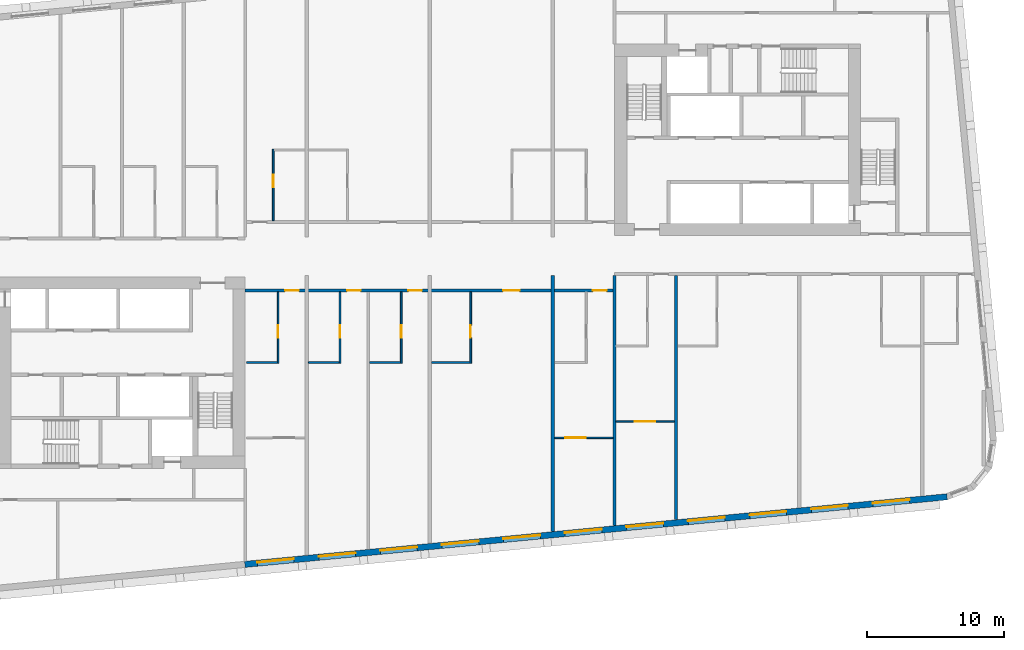
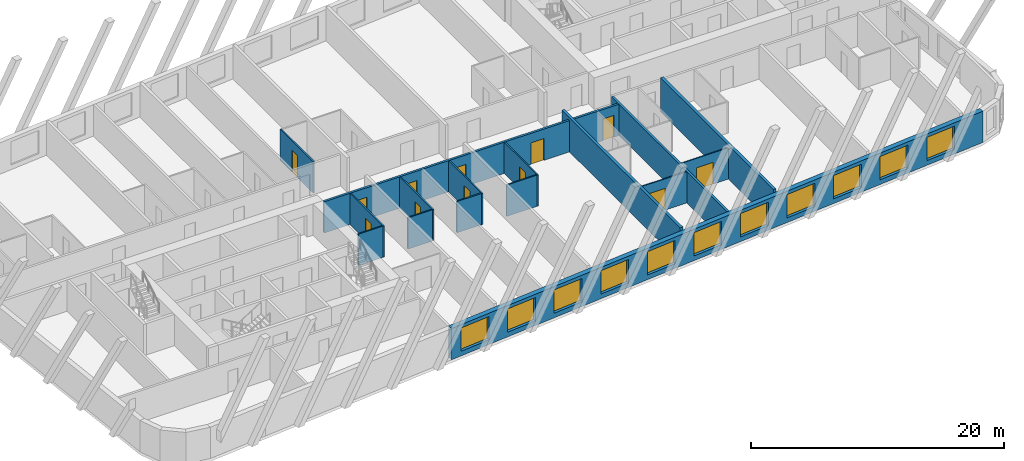
# One storey, part 4 of 13: 16 walls, 12 doors, 11 windows, 23 openings.
"""IFC4 building model written with IfcOpenShell, lengths in metres."""

from ifc_helpers import new_model, si_unit, direction, frame, frame_2d, origin, place, context, subcontext, project, spatial, rectangle, extrude, material, layer, layer_set, type_object, element, fill, save


model = new_model("IFC4")

# Units and contexts
model_context = context("Model", 3, precision=1e-05, world=origin(), true_north=direction((0.0, 1.0)))
body_context = subcontext(model_context, "Body", "Model", "MODEL_VIEW")
ifc_project = project(units=[si_unit("LENGTHUNIT", "METRE"), si_unit("AREAUNIT", "SQUARE_METRE"), si_unit("VOLUMEUNIT", "CUBIC_METRE"), si_unit("PLANEANGLEUNIT", "RADIAN"), si_unit("MASSUNIT", "GRAM", prefix="KILO")], contexts=[model_context])

# Site, building, storey
site_placement = place(None, origin())
site = spatial("IfcSite", under=ifc_project, at=site_placement, CompositionType="ELEMENT")
building_placement = place(site_placement, origin())
building = spatial("IfcBuilding", under=site, at=building_placement, Name="Kajstack Hotel Tower", CompositionType="ELEMENT")
storey_placement = place(building_placement, frame((0.0, 0.0, 176.800048828125)))
storey = spatial("IfcBuildingStorey", under=building, at=storey_placement, Name="L41", CompositionType="ELEMENT", Elevation=176.800048828125)

# Wall, openings, doors
ifc_material_1 = material(Name="Gypsum board on steel studs, mineral wool", Category="steel")
ifc_layer_1 = layer(ifc_material_1, 0.199951171875)
ifc_layer_set_1 = layer_set([ifc_layer_1], Name="Corridor wall 200")
wall_type_1 = type_object("IfcWallType", Name="Corridor wall 200", PredefinedType="PARTITIONING", material=ifc_layer_set_1)
wall_1_placement = place(storey_placement, frame((-13.5, -2.5, 0.0), z_axis=(0.0, 0.0, 1.0), x_axis=(1.0, 0.0, 0.0)))
wall_1 = element("IfcWall", 1, at=wall_1_placement, inside=storey, type_object=wall_type_1, Name="G-wall-L41-025", PredefinedType="PARTITIONING", context=body_context, shape_type="SweptSolid", body=[
    extrude(rectangle(XDim=27.0, YDim=0.199951171875, at=frame_2d((13.5, 0.0))), origin(), (0.0, 0.0, 1.0), 3.02001953125),
])
opening_1_placement = place(wall_1_placement, frame((2.925048828125, 0.0, 0.0)))
opening_1 = element("IfcOpeningElement", 2, at=opening_1_placement, cuts=wall_1, Name="Opening 41019", PredefinedType="OPENING", context=body_context, shape_type="SweptSolid", body=[
    extrude(rectangle(XDim=1.0, YDim=2.10009765625, at=frame_2d((0.5, 1.050048828125))), frame((0.0, 0.10986328125, 0.0), z_axis=(0.0, -1.0, 0.0), x_axis=(1.0, 0.0, 0.0)), (0.0, 0.0, 1.0), 0.219970703125),
])
opening_2_placement = place(wall_1_placement, frame((7.449951171875, 0.0, 0.0)))
opening_2 = element("IfcOpeningElement", 3, at=opening_2_placement, cuts=wall_1, Name="Opening 41022", PredefinedType="OPENING", context=body_context, shape_type="SweptSolid", body=[
    extrude(rectangle(XDim=1.0, YDim=2.10009765625, at=frame_2d((0.5, 1.050048828125))), frame((0.0, 0.10986328125, 0.0), z_axis=(0.0, -1.0, 0.0), x_axis=(1.0, 0.0, 0.0)), (0.0, 0.0, 1.0), 0.219970703125),
])
opening_3_placement = place(wall_1_placement, frame((11.925048828125, 0.0, 0.0)))
opening_3 = element("IfcOpeningElement", 4, at=opening_3_placement, cuts=wall_1, Name="Opening 41024", PredefinedType="OPENING", context=body_context, shape_type="SweptSolid", body=[
    extrude(rectangle(XDim=1.0, YDim=2.10009765625, at=frame_2d((0.5, 1.050048828125))), frame((0.0, 0.10986328125, 0.0), z_axis=(0.0, -1.0, 0.0), x_axis=(1.0, 0.0, 0.0)), (0.0, 0.0, 1.0), 0.219970703125),
])
opening_4_placement = place(wall_1_placement, frame((18.862060546875, 0.0, 0.0)))
opening_4 = element("IfcOpeningElement", 5, at=opening_4_placement, cuts=wall_1, Name="Opening 41026", PredefinedType="OPENING", context=body_context, shape_type="SweptSolid", body=[
    extrude(rectangle(XDim=1.199951171875, YDim=2.10009765625, at=frame_2d((0.60009765625, 1.050048828125))), frame((0.0, 0.10986328125, 0.0), z_axis=(0.0, -1.0, 0.0), x_axis=(1.0, 0.0, 0.0)), (0.0, 0.0, 1.0), 0.219970703125),
])
opening_5_placement = place(wall_1_placement, frame((25.425048828125, 0.0, 0.0)))
opening_5 = element("IfcOpeningElement", 6, at=opening_5_placement, cuts=wall_1, Name="Opening 41028", PredefinedType="OPENING", context=body_context, shape_type="SweptSolid", body=[
    extrude(rectangle(XDim=1.0, YDim=2.10009765625, at=frame_2d((0.5, 1.050048828125))), frame((0.0, 0.10986328125, 0.0), z_axis=(0.0, -1.0, 0.0), x_axis=(1.0, 0.0, 0.0)), (0.0, 0.0, 1.0), 0.219970703125),
])
ifc_material_2 = material(Name="Oak veneer on timber core, fire-rated leaf", Category="wood")
door_type_1 = type_object("IfcDoorType", Name="Flat entrance door 1000", OperationType="SINGLE_SWING_LEFT", PredefinedType="DOOR", material=ifc_material_2)
door_1_placement = place(opening_1_placement, origin())
door_1 = element("IfcDoor", 7, at=door_1_placement, inside=storey, type_object=door_type_1, Name="G-door-L41-19", OperationType="SINGLE_SWING_LEFT", OverallHeight=2.10009765625, OverallWidth=1.0, PredefinedType="DOOR", context=body_context, shape_type="SweptSolid", body=[
    extrude(rectangle(XDim=1.0, YDim=2.10009765625, at=frame_2d((0.5, 1.050048828125))), frame((0.0, 0.02490234375, 0.0), z_axis=(0.0, -1.0, 0.0), x_axis=(1.0, 0.0, 0.0)), (0.0, 0.0, 1.0), 0.050048828125),
])
fill(opening_1, door_1)
door_2_placement = place(opening_2_placement, origin())
door_2 = element("IfcDoor", 8, at=door_2_placement, inside=storey, type_object=door_type_1, Name="G-door-L41-22", OperationType="SINGLE_SWING_RIGHT", OverallHeight=2.10009765625, OverallWidth=1.0, PredefinedType="DOOR", context=body_context, shape_type="SweptSolid", body=[
    extrude(rectangle(XDim=1.0, YDim=2.10009765625, at=frame_2d((0.5, 1.050048828125))), frame((0.0, 0.02490234375, 0.0), z_axis=(0.0, -1.0, 0.0), x_axis=(1.0, 0.0, 0.0)), (0.0, 0.0, 1.0), 0.050048828125),
])
fill(opening_2, door_2)
door_3_placement = place(opening_3_placement, origin())
door_3 = element("IfcDoor", 9, at=door_3_placement, inside=storey, type_object=door_type_1, Name="G-door-L41-24", OperationType="SINGLE_SWING_RIGHT", OverallHeight=2.10009765625, OverallWidth=1.0, PredefinedType="DOOR", context=body_context, shape_type="SweptSolid", body=[
    extrude(rectangle(XDim=1.0, YDim=2.10009765625, at=frame_2d((0.5, 1.050048828125))), frame((0.0, 0.02490234375, 0.0), z_axis=(0.0, -1.0, 0.0), x_axis=(1.0, 0.0, 0.0)), (0.0, 0.0, 1.0), 0.050048828125),
])
fill(opening_3, door_3)
door_4_placement = place(opening_5_placement, origin())
door_4 = element("IfcDoor", 10, at=door_4_placement, inside=storey, type_object=door_type_1, Name="G-door-L41-28", OperationType="SINGLE_SWING_LEFT", OverallHeight=2.10009765625, OverallWidth=1.0, PredefinedType="DOOR", context=body_context, shape_type="SweptSolid", body=[
    extrude(rectangle(XDim=1.0, YDim=2.10009765625, at=frame_2d((0.5, 1.050048828125))), frame((0.0, 0.02490234375, 0.0), z_axis=(0.0, -1.0, 0.0), x_axis=(1.0, 0.0, 0.0)), (0.0, 0.0, 1.0), 0.050048828125),
])
fill(opening_5, door_4)
door_type_2 = type_object("IfcDoorType", Name="Flat entrance door 1200", OperationType="SINGLE_SWING_LEFT", PredefinedType="DOOR", material=ifc_material_2)
door_5_placement = place(opening_4_placement, origin())
door_5 = element("IfcDoor", 11, at=door_5_placement, inside=storey, type_object=door_type_2, Name="G-door-L41-26", OperationType="SINGLE_SWING_LEFT", OverallHeight=2.10009765625, OverallWidth=1.199951171875, PredefinedType="DOOR", context=body_context, shape_type="SweptSolid", body=[
    extrude(rectangle(XDim=1.199951171875, YDim=2.10009765625, at=frame_2d((0.60009765625, 1.050048828125))), frame((0.0, 0.02490234375, 0.0), z_axis=(0.0, -1.0, 0.0), x_axis=(1.0, 0.0, 0.0)), (0.0, 0.0, 1.0), 0.050048828125),
])
fill(opening_4, door_5)

# Wall
ifc_material_3 = material(Name="Twin-frame gypsum board on steel studs, mineral wool", Category="steel")
ifc_layer_2 = layer(ifc_material_3, 0.199951171875)
ifc_layer_set_2 = layer_set([ifc_layer_2], Name="Demising wall 200")
wall_type_2 = type_object("IfcWallType", Name="Demising wall 200", PredefinedType="PARTITIONING", material=ifc_layer_set_2)
wall_2_placement = place(storey_placement, frame((13.5, -19.700927734375, 0.0), z_axis=(0.0, 0.0, 1.0), x_axis=(0.0, 1.0, 0.0)))
element("IfcWall", 12, at=wall_2_placement, inside=storey, type_object=wall_type_2, Name="G-wall-L41-037", PredefinedType="PARTITIONING", context=body_context, shape_type="SweptSolid", body=[
    extrude(rectangle(XDim=18.301025390625, YDim=0.199951171875, at=frame_2d((9.150390625, 0.0))), origin(), (0.0, 0.0, 1.0), 3.02001953125),
])

# Wall, openings, windows
ifc_material_4 = material(Name="Terracotta-faced brick masonry", Category="masonry")
ifc_layer_3 = layer(ifc_material_4, 0.449951171875)
ifc_layer_set_3 = layer_set([ifc_layer_3], Name="EW-TERRA")
wall_type_3 = type_object("IfcWallType", Name="EW-TERRA", PredefinedType="SOLIDWALL", material=ifc_layer_set_3)
wall_3_placement = place(storey_placement, frame((-13.521484375, -22.528564453125, 0.0), z_axis=(0.0, 0.0, 1.0), x_axis=(0.995396436651, 0.095843277819, 0.0)))
wall_3 = element("IfcWall", 13, at=wall_3_placement, inside=storey, type_object=wall_type_3, Name="E-wall-L41-04-02", PredefinedType="SOLIDWALL", context=body_context, shape_type="SweptSolid", body=[
    extrude(rectangle(XDim=51.57763671875, YDim=0.449951171875, at=frame_2d((25.788818359375, 0.0))), origin(), (0.0, 0.0, 1.0), 3.02001953125),
])
opening_6_placement = place(wall_3_placement, frame((0.910400390625, 0.0, 0.449951171875)))
opening_6 = element("IfcOpeningElement", 14, at=opening_6_placement, cuts=wall_3, Name="Opening W1", PredefinedType="OPENING", context=body_context, shape_type="SweptSolid", body=[
    extrude(rectangle(XDim=2.699951171875, YDim=2.25, at=frame_2d((1.35009765625, 1.125))), frame((0.0, 0.23486328125, 0.0), z_axis=(0.0, -1.0, 0.0), x_axis=(1.0, 0.0, 0.0)), (0.0, 0.0, 1.0), 0.469970703125),
])
opening_7_placement = place(wall_3_placement, frame((5.431396484375, 0.0, 0.449951171875)))
opening_7 = element("IfcOpeningElement", 15, at=opening_7_placement, cuts=wall_3, Name="Opening W1", PredefinedType="OPENING", context=body_context, shape_type="SweptSolid", body=[
    extrude(rectangle(XDim=2.699951171875, YDim=2.25, at=frame_2d((1.35009765625, 1.125))), frame((0.0, 0.23486328125, 0.0), z_axis=(0.0, -1.0, 0.0), x_axis=(1.0, 0.0, 0.0)), (0.0, 0.0, 1.0), 0.469970703125),
])
opening_8_placement = place(wall_3_placement, frame((9.9521484375, 0.0, 0.449951171875)))
opening_8 = element("IfcOpeningElement", 16, at=opening_8_placement, cuts=wall_3, Name="Opening W1", PredefinedType="OPENING", context=body_context, shape_type="SweptSolid", body=[
    extrude(rectangle(XDim=2.699951171875, YDim=2.25, at=frame_2d((1.35009765625, 1.125))), frame((0.0, 0.23486328125, 0.0), z_axis=(0.0, -1.0, 0.0), x_axis=(1.0, 0.0, 0.0)), (0.0, 0.0, 1.0), 0.469970703125),
])
opening_9_placement = place(wall_3_placement, frame((14.472900390625, 0.0, 0.449951171875)))
opening_9 = element("IfcOpeningElement", 17, at=opening_9_placement, cuts=wall_3, Name="Opening W1", PredefinedType="OPENING", context=body_context, shape_type="SweptSolid", body=[
    extrude(rectangle(XDim=2.699951171875, YDim=2.25, at=frame_2d((1.35009765625, 1.125))), frame((0.0, 0.23486328125, 0.0), z_axis=(0.0, -1.0, 0.0), x_axis=(1.0, 0.0, 0.0)), (0.0, 0.0, 1.0), 0.469970703125),
])
opening_10_placement = place(wall_3_placement, frame((18.99365234375, 0.0, 0.449951171875)))
opening_10 = element("IfcOpeningElement", 18, at=opening_10_placement, cuts=wall_3, Name="Opening W1", PredefinedType="OPENING", context=body_context, shape_type="SweptSolid", body=[
    extrude(rectangle(XDim=2.699951171875, YDim=2.25, at=frame_2d((1.35009765625, 1.125))), frame((0.0, 0.23486328125, 0.0), z_axis=(0.0, -1.0, 0.0), x_axis=(1.0, 0.0, 0.0)), (0.0, 0.0, 1.0), 0.469970703125),
])
opening_11_placement = place(wall_3_placement, frame((23.514404296875, 0.0, 0.449951171875)))
opening_11 = element("IfcOpeningElement", 19, at=opening_11_placement, cuts=wall_3, Name="Opening W1", PredefinedType="OPENING", context=body_context, shape_type="SweptSolid", body=[
    extrude(rectangle(XDim=2.699951171875, YDim=2.25, at=frame_2d((1.35009765625, 1.125))), frame((0.0, 0.23486328125, 0.0), z_axis=(0.0, -1.0, 0.0), x_axis=(1.0, 0.0, 0.0)), (0.0, 0.0, 1.0), 0.469970703125),
])
opening_12_placement = place(wall_3_placement, frame((28.035400390625, 0.0, 0.449951171875)))
opening_12 = element("IfcOpeningElement", 20, at=opening_12_placement, cuts=wall_3, Name="Opening W1", PredefinedType="OPENING", context=body_context, shape_type="SweptSolid", body=[
    extrude(rectangle(XDim=2.699951171875, YDim=2.25, at=frame_2d((1.35009765625, 1.125))), frame((0.0, 0.23486328125, 0.0), z_axis=(0.0, -1.0, 0.0), x_axis=(1.0, 0.0, 0.0)), (0.0, 0.0, 1.0), 0.469970703125),
])
opening_13_placement = place(wall_3_placement, frame((32.55615234375, 0.0, 0.449951171875)))
opening_13 = element("IfcOpeningElement", 21, at=opening_13_placement, cuts=wall_3, Name="Opening W1", PredefinedType="OPENING", context=body_context, shape_type="SweptSolid", body=[
    extrude(rectangle(XDim=2.699951171875, YDim=2.25, at=frame_2d((1.35009765625, 1.125))), frame((0.0, 0.23486328125, 0.0), z_axis=(0.0, -1.0, 0.0), x_axis=(1.0, 0.0, 0.0)), (0.0, 0.0, 1.0), 0.469970703125),
])
opening_14_placement = place(wall_3_placement, frame((37.076904296875, 0.0, 0.449951171875)))
opening_14 = element("IfcOpeningElement", 22, at=opening_14_placement, cuts=wall_3, Name="Opening W1", PredefinedType="OPENING", context=body_context, shape_type="SweptSolid", body=[
    extrude(rectangle(XDim=2.699951171875, YDim=2.25, at=frame_2d((1.35009765625, 1.125))), frame((0.0, 0.23486328125, 0.0), z_axis=(0.0, -1.0, 0.0), x_axis=(1.0, 0.0, 0.0)), (0.0, 0.0, 1.0), 0.469970703125),
])
opening_15_placement = place(wall_3_placement, frame((41.597900390625, 0.0, 0.449951171875)))
opening_15 = element("IfcOpeningElement", 23, at=opening_15_placement, cuts=wall_3, Name="Opening W1", PredefinedType="OPENING", context=body_context, shape_type="SweptSolid", body=[
    extrude(rectangle(XDim=2.699951171875, YDim=2.25, at=frame_2d((1.35009765625, 1.125))), frame((0.0, 0.23486328125, 0.0), z_axis=(0.0, -1.0, 0.0), x_axis=(1.0, 0.0, 0.0)), (0.0, 0.0, 1.0), 0.469970703125),
])
opening_16_placement = place(wall_3_placement, frame((46.11865234375, 0.0, 0.449951171875)))
opening_16 = element("IfcOpeningElement", 24, at=opening_16_placement, cuts=wall_3, Name="Opening W1", PredefinedType="OPENING", context=body_context, shape_type="SweptSolid", body=[
    extrude(rectangle(XDim=2.699951171875, YDim=2.25, at=frame_2d((1.35009765625, 1.125))), frame((0.0, 0.23486328125, 0.0), z_axis=(0.0, -1.0, 0.0), x_axis=(1.0, 0.0, 0.0)), (0.0, 0.0, 1.0), 0.469970703125),
])
ifc_material_5 = material(Name="Timber-aluminium window, triple glazed", Category="wood")
window_type = type_object("IfcWindowType", Name="WG1", PartitioningType="SINGLE_PANEL", PredefinedType="WINDOW", material=ifc_material_5)
window_1_placement = place(opening_6_placement, origin())
window_1 = element("IfcWindow", 25, at=window_1_placement, inside=storey, type_object=window_type, Name="Window W1 L41-04", OverallHeight=2.25, OverallWidth=2.699951171875, PartitioningType="SINGLE_PANEL", PredefinedType="WINDOW", context=body_context, shape_type="SweptSolid", body=[
    extrude(rectangle(XDim=2.699951171875, YDim=2.25, at=frame_2d((1.35009765625, 1.125))), frame((0.0, 0.090087890625, 0.0), z_axis=(0.0, -1.0, 0.0), x_axis=(1.0, 0.0, 0.0)), (0.0, 0.0, 1.0), 0.06005859375),
])
fill(opening_6, window_1)
window_2_placement = place(opening_7_placement, origin())
window_2 = element("IfcWindow", 26, at=window_2_placement, inside=storey, type_object=window_type, Name="Window W1 L41-04", OverallHeight=2.25, OverallWidth=2.699951171875, PartitioningType="SINGLE_PANEL", PredefinedType="WINDOW", context=body_context, shape_type="SweptSolid", body=[
    extrude(rectangle(XDim=2.699951171875, YDim=2.25, at=frame_2d((1.35009765625, 1.125))), frame((0.0, 0.090087890625, 0.0), z_axis=(0.0, -1.0, 0.0), x_axis=(1.0, 0.0, 0.0)), (0.0, 0.0, 1.0), 0.06005859375),
])
fill(opening_7, window_2)
window_3_placement = place(opening_8_placement, origin())
window_3 = element("IfcWindow", 27, at=window_3_placement, inside=storey, type_object=window_type, Name="Window W1 L41-04", OverallHeight=2.25, OverallWidth=2.699951171875, PartitioningType="SINGLE_PANEL", PredefinedType="WINDOW", context=body_context, shape_type="SweptSolid", body=[
    extrude(rectangle(XDim=2.699951171875, YDim=2.25, at=frame_2d((1.35009765625, 1.125))), frame((0.0, 0.090087890625, 0.0), z_axis=(0.0, -1.0, 0.0), x_axis=(1.0, 0.0, 0.0)), (0.0, 0.0, 1.0), 0.06005859375),
])
fill(opening_8, window_3)
window_4_placement = place(opening_9_placement, origin())
window_4 = element("IfcWindow", 28, at=window_4_placement, inside=storey, type_object=window_type, Name="Window W1 L41-04", OverallHeight=2.25, OverallWidth=2.699951171875, PartitioningType="SINGLE_PANEL", PredefinedType="WINDOW", context=body_context, shape_type="SweptSolid", body=[
    extrude(rectangle(XDim=2.699951171875, YDim=2.25, at=frame_2d((1.35009765625, 1.125))), frame((0.0, 0.090087890625, 0.0), z_axis=(0.0, -1.0, 0.0), x_axis=(1.0, 0.0, 0.0)), (0.0, 0.0, 1.0), 0.06005859375),
])
fill(opening_9, window_4)
window_5_placement = place(opening_10_placement, origin())
window_5 = element("IfcWindow", 29, at=window_5_placement, inside=storey, type_object=window_type, Name="Window W1 L41-04", OverallHeight=2.25, OverallWidth=2.699951171875, PartitioningType="SINGLE_PANEL", PredefinedType="WINDOW", context=body_context, shape_type="SweptSolid", body=[
    extrude(rectangle(XDim=2.699951171875, YDim=2.25, at=frame_2d((1.35009765625, 1.125))), frame((0.0, 0.090087890625, 0.0), z_axis=(0.0, -1.0, 0.0), x_axis=(1.0, 0.0, 0.0)), (0.0, 0.0, 1.0), 0.06005859375),
])
fill(opening_10, window_5)
window_6_placement = place(opening_11_placement, origin())
window_6 = element("IfcWindow", 30, at=window_6_placement, inside=storey, type_object=window_type, Name="Window W1 L41-04", OverallHeight=2.25, OverallWidth=2.699951171875, PartitioningType="SINGLE_PANEL", PredefinedType="WINDOW", context=body_context, shape_type="SweptSolid", body=[
    extrude(rectangle(XDim=2.699951171875, YDim=2.25, at=frame_2d((1.35009765625, 1.125))), frame((0.0, 0.090087890625, 0.0), z_axis=(0.0, -1.0, 0.0), x_axis=(1.0, 0.0, 0.0)), (0.0, 0.0, 1.0), 0.06005859375),
])
fill(opening_11, window_6)
window_7_placement = place(opening_12_placement, origin())
window_7 = element("IfcWindow", 31, at=window_7_placement, inside=storey, type_object=window_type, Name="Window W1 L41-04", OverallHeight=2.25, OverallWidth=2.699951171875, PartitioningType="SINGLE_PANEL", PredefinedType="WINDOW", context=body_context, shape_type="SweptSolid", body=[
    extrude(rectangle(XDim=2.699951171875, YDim=2.25, at=frame_2d((1.35009765625, 1.125))), frame((0.0, 0.090087890625, 0.0), z_axis=(0.0, -1.0, 0.0), x_axis=(1.0, 0.0, 0.0)), (0.0, 0.0, 1.0), 0.06005859375),
])
fill(opening_12, window_7)
window_8_placement = place(opening_13_placement, origin())
window_8 = element("IfcWindow", 32, at=window_8_placement, inside=storey, type_object=window_type, Name="Window W1 L41-04", OverallHeight=2.25, OverallWidth=2.699951171875, PartitioningType="SINGLE_PANEL", PredefinedType="WINDOW", context=body_context, shape_type="SweptSolid", body=[
    extrude(rectangle(XDim=2.699951171875, YDim=2.25, at=frame_2d((1.35009765625, 1.125))), frame((0.0, 0.090087890625, 0.0), z_axis=(0.0, -1.0, 0.0), x_axis=(1.0, 0.0, 0.0)), (0.0, 0.0, 1.0), 0.06005859375),
])
fill(opening_13, window_8)
window_9_placement = place(opening_14_placement, origin())
window_9 = element("IfcWindow", 33, at=window_9_placement, inside=storey, type_object=window_type, Name="Window W1 L41-04", OverallHeight=2.25, OverallWidth=2.699951171875, PartitioningType="SINGLE_PANEL", PredefinedType="WINDOW", context=body_context, shape_type="SweptSolid", body=[
    extrude(rectangle(XDim=2.699951171875, YDim=2.25, at=frame_2d((1.35009765625, 1.125))), frame((0.0, 0.090087890625, 0.0), z_axis=(0.0, -1.0, 0.0), x_axis=(1.0, 0.0, 0.0)), (0.0, 0.0, 1.0), 0.06005859375),
])
fill(opening_14, window_9)
window_10_placement = place(opening_15_placement, origin())
window_10 = element("IfcWindow", 34, at=window_10_placement, inside=storey, type_object=window_type, Name="Window W1 L41-04", OverallHeight=2.25, OverallWidth=2.699951171875, PartitioningType="SINGLE_PANEL", PredefinedType="WINDOW", context=body_context, shape_type="SweptSolid", body=[
    extrude(rectangle(XDim=2.699951171875, YDim=2.25, at=frame_2d((1.35009765625, 1.125))), frame((0.0, 0.090087890625, 0.0), z_axis=(0.0, -1.0, 0.0), x_axis=(1.0, 0.0, 0.0)), (0.0, 0.0, 1.0), 0.06005859375),
])
fill(opening_15, window_10)
window_11_placement = place(opening_16_placement, origin())
window_11 = element("IfcWindow", 35, at=window_11_placement, inside=storey, type_object=window_type, Name="Window W1 L41-04", OverallHeight=2.25, OverallWidth=2.699951171875, PartitioningType="SINGLE_PANEL", PredefinedType="WINDOW", context=body_context, shape_type="SweptSolid", body=[
    extrude(rectangle(XDim=2.699951171875, YDim=2.25, at=frame_2d((1.35009765625, 1.125))), frame((0.0, 0.090087890625, 0.0), z_axis=(0.0, -1.0, 0.0), x_axis=(1.0, 0.0, 0.0)), (0.0, 0.0, 1.0), 0.06005859375),
])
fill(opening_16, window_11)

# Wall, opening, door
ifc_material_6 = material(Name="Gypsum board and tiled backer on steel studs", Category="steel")
ifc_layer_4 = layer(ifc_material_6, 0.125)
ifc_layer_set_4 = layer_set([ifc_layer_4], Name="En-suite wall 125")
wall_type_4 = type_object("IfcWallType", Name="En-suite wall 125", PredefinedType="PARTITIONING", material=ifc_layer_set_4)
wall_4_placement = place(storey_placement, frame((-11.43798828125, 2.60009765625, 0.0), z_axis=(0.0, 0.0, 1.0), x_axis=(0.0, 1.0, 0.0)))
wall_4 = element("IfcWall", 36, at=wall_4_placement, inside=storey, type_object=wall_type_4, Name="G-wall-L41-017", PredefinedType="PARTITIONING", context=body_context, shape_type="SweptSolid", body=[
    extrude(rectangle(XDim=5.224853515625, YDim=0.125, at=frame_2d((2.6123046875, 0.0))), origin(), (0.0, 0.0, 1.0), 3.02001953125),
])
opening_17_placement = place(wall_4_placement, frame((2.449951171875, 0.0, 0.0)))
opening_17 = element("IfcOpeningElement", 37, at=opening_17_placement, cuts=wall_4, Name="Opening 41012", PredefinedType="OPENING", context=body_context, shape_type="SweptSolid", body=[
    extrude(rectangle(XDim=0.89990234375, YDim=2.10009765625, at=frame_2d((0.449951171875, 1.050048828125))), frame((0.0, 0.072509765625, 0.0), z_axis=(0.0, -1.0, 0.0), x_axis=(1.0, 0.0, 0.0)), (0.0, 0.0, 1.0), 0.14501953125),
])
ifc_material_7 = material(Name="Painted timber door leaf", Category="wood")
door_type_3 = type_object("IfcDoorType", Name="Room door 900", OperationType="SINGLE_SWING_LEFT", PredefinedType="DOOR", material=ifc_material_7)
door_6_placement = place(opening_17_placement, origin())
door_6 = element("IfcDoor", 38, at=door_6_placement, inside=storey, type_object=door_type_3, Name="G-door-L41-12", OperationType="SINGLE_SWING_LEFT", OverallHeight=2.10009765625, OverallWidth=0.89990234375, PredefinedType="DOOR", context=body_context, shape_type="SweptSolid", body=[
    extrude(rectangle(XDim=0.89990234375, YDim=2.10009765625, at=frame_2d((0.449951171875, 1.050048828125))), frame((0.0, 0.02490234375, 0.0), z_axis=(0.0, -1.0, 0.0), x_axis=(1.0, 0.0, 0.0)), (0.0, 0.0, 1.0), 0.050048828125),
])
fill(opening_17, door_6)

wall_5_placement = place(storey_placement, frame((-11.087890625, -7.824951171875, 0.0), z_axis=(0.0, 0.0, 1.0), x_axis=(0.0, 1.0, 0.0)))
wall_5 = element("IfcWall", 39, at=wall_5_placement, inside=storey, type_object=wall_type_4, Name="G-wall-L41-027", PredefinedType="PARTITIONING", context=body_context, shape_type="SweptSolid", body=[
    extrude(rectangle(XDim=5.224853515625, YDim=0.125, at=frame_2d((2.6123046875, 0.0))), origin(), (0.0, 0.0, 1.0), 3.02001953125),
])
opening_18_placement = place(wall_5_placement, frame((1.875, 0.0, 0.0)))
opening_18 = element("IfcOpeningElement", 40, at=opening_18_placement, cuts=wall_5, Name="Opening 41020", PredefinedType="OPENING", context=body_context, shape_type="SweptSolid", body=[
    extrude(rectangle(XDim=0.89990234375, YDim=2.10009765625, at=frame_2d((0.449951171875, 1.050048828125))), frame((0.0, 0.072509765625, 0.0), z_axis=(0.0, -1.0, 0.0), x_axis=(1.0, 0.0, 0.0)), (0.0, 0.0, 1.0), 0.14501953125),
])
door_7_placement = place(opening_18_placement, origin())
door_7 = element("IfcDoor", 41, at=door_7_placement, inside=storey, type_object=door_type_3, Name="G-door-L41-20", OperationType="SINGLE_SWING_RIGHT", OverallHeight=2.10009765625, OverallWidth=0.89990234375, PredefinedType="DOOR", context=body_context, shape_type="SweptSolid", body=[
    extrude(rectangle(XDim=0.89990234375, YDim=2.10009765625, at=frame_2d((0.449951171875, 1.050048828125))), frame((0.0, 0.02490234375, 0.0), z_axis=(0.0, -1.0, 0.0), x_axis=(1.0, 0.0, 0.0)), (0.0, 0.0, 1.0), 0.050048828125),
])
fill(opening_18, door_7)

# Wall
wall_6_placement = place(storey_placement, frame((-13.39990234375, -7.761962890625, 0.0), z_axis=(0.0, 0.0, 1.0), x_axis=(1.0, 0.0, 0.0)))
element("IfcWall", 42, at=wall_6_placement, inside=storey, type_object=wall_type_4, Name="G-wall-L41-028", PredefinedType="PARTITIONING", context=body_context, shape_type="SweptSolid", body=[
    extrude(rectangle(XDim=2.25, YDim=0.125, at=frame_2d((1.125, 0.0))), origin(), (0.0, 0.0, 1.0), 3.02001953125),
])

# Wall, opening, door
wall_7_placement = place(storey_placement, frame((-6.56201171875, -7.824951171875, 0.0), z_axis=(0.0, 0.0, 1.0), x_axis=(0.0, 1.0, 0.0)))
wall_7 = element("IfcWall", 43, at=wall_7_placement, inside=storey, type_object=wall_type_4, Name="G-wall-L41-031", PredefinedType="PARTITIONING", context=body_context, shape_type="SweptSolid", body=[
    extrude(rectangle(XDim=5.224853515625, YDim=0.125, at=frame_2d((2.6123046875, 0.0))), origin(), (0.0, 0.0, 1.0), 3.02001953125),
])
opening_19_placement = place(wall_7_placement, frame((1.875, 0.0, 0.0)))
opening_19 = element("IfcOpeningElement", 44, at=opening_19_placement, cuts=wall_7, Name="Opening 41023", PredefinedType="OPENING", context=body_context, shape_type="SweptSolid", body=[
    extrude(rectangle(XDim=0.89990234375, YDim=2.10009765625, at=frame_2d((0.449951171875, 1.050048828125))), frame((0.0, 0.072509765625, 0.0), z_axis=(0.0, -1.0, 0.0), x_axis=(1.0, 0.0, 0.0)), (0.0, 0.0, 1.0), 0.14501953125),
])
door_8_placement = place(opening_19_placement, origin())
door_8 = element("IfcDoor", 45, at=door_8_placement, inside=storey, type_object=door_type_3, Name="G-door-L41-23", OperationType="SINGLE_SWING_LEFT", OverallHeight=2.10009765625, OverallWidth=0.89990234375, PredefinedType="DOOR", context=body_context, shape_type="SweptSolid", body=[
    extrude(rectangle(XDim=0.89990234375, YDim=2.10009765625, at=frame_2d((0.449951171875, 1.050048828125))), frame((0.0, 0.02490234375, 0.0), z_axis=(0.0, -1.0, 0.0), x_axis=(1.0, 0.0, 0.0)), (0.0, 0.0, 1.0), 0.050048828125),
])
fill(opening_19, door_8)

# Wall
wall_8_placement = place(storey_placement, frame((-8.875, -7.761962890625, 0.0), z_axis=(0.0, 0.0, 1.0), x_axis=(1.0, 0.0, 0.0)))
element("IfcWall", 46, at=wall_8_placement, inside=storey, type_object=wall_type_4, Name="G-wall-L41-032", PredefinedType="PARTITIONING", context=body_context, shape_type="SweptSolid", body=[
    extrude(rectangle(XDim=2.25, YDim=0.125, at=frame_2d((1.125, 0.0))), origin(), (0.0, 0.0, 1.0), 3.02001953125),
])

# Wall, opening, door
wall_9_placement = place(storey_placement, frame((-2.0869140625, -7.824951171875, 0.0), z_axis=(0.0, 0.0, 1.0), x_axis=(0.0, 1.0, 0.0)))
wall_9 = element("IfcWall", 47, at=wall_9_placement, inside=storey, type_object=wall_type_4, Name="G-wall-L41-033", PredefinedType="PARTITIONING", context=body_context, shape_type="SweptSolid", body=[
    extrude(rectangle(XDim=5.224853515625, YDim=0.125, at=frame_2d((2.6123046875, 0.0))), origin(), (0.0, 0.0, 1.0), 3.02001953125),
])
opening_20_placement = place(wall_9_placement, frame((1.875, 0.0, 0.0)))
opening_20 = element("IfcOpeningElement", 48, at=opening_20_placement, cuts=wall_9, Name="Opening 41025", PredefinedType="OPENING", context=body_context, shape_type="SweptSolid", body=[
    extrude(rectangle(XDim=0.89990234375, YDim=2.10009765625, at=frame_2d((0.449951171875, 1.050048828125))), frame((0.0, 0.072509765625, 0.0), z_axis=(0.0, -1.0, 0.0), x_axis=(1.0, 0.0, 0.0)), (0.0, 0.0, 1.0), 0.14501953125),
])
door_9_placement = place(opening_20_placement, origin())
door_9 = element("IfcDoor", 49, at=door_9_placement, inside=storey, type_object=door_type_3, Name="G-door-L41-25", OperationType="SINGLE_SWING_LEFT", OverallHeight=2.10009765625, OverallWidth=0.89990234375, PredefinedType="DOOR", context=body_context, shape_type="SweptSolid", body=[
    extrude(rectangle(XDim=0.89990234375, YDim=2.10009765625, at=frame_2d((0.449951171875, 1.050048828125))), frame((0.0, 0.02490234375, 0.0), z_axis=(0.0, -1.0, 0.0), x_axis=(1.0, 0.0, 0.0)), (0.0, 0.0, 1.0), 0.050048828125),
])
fill(opening_20, door_9)

# Wall
wall_10_placement = place(storey_placement, frame((-4.39990234375, -7.761962890625, 0.0), z_axis=(0.0, 0.0, 1.0), x_axis=(1.0, 0.0, 0.0)))
element("IfcWall", 50, at=wall_10_placement, inside=storey, type_object=wall_type_4, Name="G-wall-L41-034", PredefinedType="PARTITIONING", context=body_context, shape_type="SweptSolid", body=[
    extrude(rectangle(XDim=2.25, YDim=0.125, at=frame_2d((1.125, 0.0))), origin(), (0.0, 0.0, 1.0), 3.02001953125),
])

# Wall, opening, door
wall_11_placement = place(storey_placement, frame((2.987060546875, -7.824951171875, 0.0), z_axis=(0.0, 0.0, 1.0), x_axis=(0.0, 1.0, 0.0)))
wall_11 = element("IfcWall", 51, at=wall_11_placement, inside=storey, type_object=wall_type_4, Name="G-wall-L41-035", PredefinedType="PARTITIONING", context=body_context, shape_type="SweptSolid", body=[
    extrude(rectangle(XDim=5.224853515625, YDim=0.125, at=frame_2d((2.6123046875, 0.0))), origin(), (0.0, 0.0, 1.0), 3.02001953125),
])
opening_21_placement = place(wall_11_placement, frame((1.875, 0.0, 0.0)))
opening_21 = element("IfcOpeningElement", 52, at=opening_21_placement, cuts=wall_11, Name="Opening 41027", PredefinedType="OPENING", context=body_context, shape_type="SweptSolid", body=[
    extrude(rectangle(XDim=0.89990234375, YDim=2.10009765625, at=frame_2d((0.449951171875, 1.050048828125))), frame((0.0, 0.072509765625, 0.0), z_axis=(0.0, -1.0, 0.0), x_axis=(1.0, 0.0, 0.0)), (0.0, 0.0, 1.0), 0.14501953125),
])
door_10_placement = place(opening_21_placement, origin())
door_10 = element("IfcDoor", 53, at=door_10_placement, inside=storey, type_object=door_type_3, Name="G-door-L41-27", OperationType="SINGLE_SWING_LEFT", OverallHeight=2.10009765625, OverallWidth=0.89990234375, PredefinedType="DOOR", context=body_context, shape_type="SweptSolid", body=[
    extrude(rectangle(XDim=0.89990234375, YDim=2.10009765625, at=frame_2d((0.449951171875, 1.050048828125))), frame((0.0, 0.02490234375, 0.0), z_axis=(0.0, -1.0, 0.0), x_axis=(1.0, 0.0, 0.0)), (0.0, 0.0, 1.0), 0.050048828125),
])
fill(opening_21, door_10)

# Wall
wall_12_placement = place(storey_placement, frame((0.125, -7.761962890625, 0.0), z_axis=(0.0, 0.0, 1.0), x_axis=(1.0, 0.0, 0.0)))
element("IfcWall", 54, at=wall_12_placement, inside=storey, type_object=wall_type_4, Name="G-wall-L41-036", PredefinedType="PARTITIONING", context=body_context, shape_type="SweptSolid", body=[
    extrude(rectangle(XDim=2.800048828125, YDim=0.125, at=frame_2d((1.39990234375, 0.0))), origin(), (0.0, 0.0, 1.0), 3.02001953125),
])

# Wall, opening, door
ifc_material_8 = material(Name="Gypsum board on steel studs", Category="steel")
ifc_layer_5 = layer(ifc_material_8, 0.10009765625)
ifc_layer_set_5 = layer_set([ifc_layer_5], Name="Partition 100")
wall_type_5 = type_object("IfcWallType", Name="Partition 100", PredefinedType="PARTITIONING", material=ifc_layer_set_5)
wall_13_placement = place(storey_placement, frame((9.125, -13.27490234375, 0.0), z_axis=(0.0, 0.0, 1.0), x_axis=(1.0, 0.0, 0.0)))
wall_13 = element("IfcWall", 55, at=wall_13_placement, inside=storey, type_object=wall_type_5, Name="G-wall-L41-040", PredefinedType="PARTITIONING", context=body_context, shape_type="SweptSolid", body=[
    extrude(rectangle(XDim=4.27490234375, YDim=0.10009765625, at=frame_2d((2.137451171875, 0.0))), origin(), (0.0, 0.0, 1.0), 3.02001953125),
])
opening_22_placement = place(wall_13_placement, frame((0.787109375, 0.0, 0.0)))
opening_22 = element("IfcOpeningElement", 56, at=opening_22_placement, cuts=wall_13, Name="Opening 41030", PredefinedType="OPENING", context=body_context, shape_type="SweptSolid", body=[
    extrude(rectangle(XDim=1.5, YDim=2.10009765625, at=frame_2d((0.75, 1.050048828125))), frame((0.0, 0.06005859375, 0.0), z_axis=(0.0, -1.0, 0.0), x_axis=(1.0, 0.0, 0.0)), (0.0, 0.0, 1.0), 0.1201171875),
])
ifc_material_9 = material(Name="Painted timber door leaves, glazed panels", Category="wood")
door_type_4 = type_object("IfcDoorType", Name="Double door 1500", OperationType="SINGLE_SWING_LEFT", PredefinedType="DOOR", material=ifc_material_9)
door_11_placement = place(opening_22_placement, origin())
door_11 = element("IfcDoor", 57, at=door_11_placement, inside=storey, type_object=door_type_4, Name="G-door-L41-30", OperationType="SINGLE_SWING_RIGHT", OverallHeight=2.10009765625, OverallWidth=1.5, PredefinedType="DOOR", context=body_context, shape_type="SweptSolid", body=[
    extrude(rectangle(XDim=1.5, YDim=2.10009765625, at=frame_2d((0.75, 1.050048828125))), frame((0.0, 0.02490234375, 0.0), z_axis=(0.0, -1.0, 0.0), x_axis=(1.0, 0.0, 0.0)), (0.0, 0.0, 1.0), 0.050048828125),
])
fill(opening_22, door_11)

wall_14_placement = place(storey_placement, frame((13.60009765625, -12.074951171875, 0.0), z_axis=(0.0, 0.0, 1.0), x_axis=(1.0, 0.0, 0.0)))
wall_14 = element("IfcWall", 58, at=wall_14_placement, inside=storey, type_object=wall_type_5, Name="G-wall-L41-043", PredefinedType="PARTITIONING", context=body_context, shape_type="SweptSolid", body=[
    extrude(rectangle(XDim=4.27490234375, YDim=0.10009765625, at=frame_2d((2.137451171875, 0.0))), origin(), (0.0, 0.0, 1.0), 3.02001953125),
])
opening_23_placement = place(wall_14_placement, frame((1.387939453125, 0.0, 0.0)))
opening_23 = element("IfcOpeningElement", 59, at=opening_23_placement, cuts=wall_14, Name="Opening 41033", PredefinedType="OPENING", context=body_context, shape_type="SweptSolid", body=[
    extrude(rectangle(XDim=1.5, YDim=2.10009765625, at=frame_2d((0.75, 1.050048828125))), frame((0.0, 0.06005859375, 0.0), z_axis=(0.0, -1.0, 0.0), x_axis=(1.0, 0.0, 0.0)), (0.0, 0.0, 1.0), 0.1201171875),
])
door_12_placement = place(opening_23_placement, origin())
door_12 = element("IfcDoor", 60, at=door_12_placement, inside=storey, type_object=door_type_4, Name="G-door-L41-33", OperationType="SINGLE_SWING_RIGHT", OverallHeight=2.10009765625, OverallWidth=1.5, PredefinedType="DOOR", context=body_context, shape_type="SweptSolid", body=[
    extrude(rectangle(XDim=1.5, YDim=2.10009765625, at=frame_2d((0.75, 1.050048828125))), frame((0.0, 0.02490234375, 0.0), z_axis=(0.0, -1.0, 0.0), x_axis=(1.0, 0.0, 0.0)), (0.0, 0.0, 1.0), 0.050048828125),
])
fill(opening_23, door_12)

# Walls
ifc_material_10 = material(Name="Concrete C50/60", Category="concrete")
ifc_layer_6 = layer(ifc_material_10, 0.25)
ifc_layer_set_6 = layer_set([ifc_layer_6], Name="RC cross wall 250 C50/60")
wall_type_6 = type_object("IfcWallType", Name="RC cross wall 250 C50/60", PredefinedType="SHEAR", material=ifc_layer_set_6)
wall_15_placement = place(storey_placement, frame((9.0, -20.11181640625, 0.0), z_axis=(0.0, 0.0, 1.0), x_axis=(0.0, 1.0, 0.0)))
element("IfcWall", 61, at=wall_15_placement, inside=storey, type_object=wall_type_6, Name="S-wall-L41-08", PredefinedType="SHEAR", context=body_context, shape_type="SweptSolid", body=[
    extrude(rectangle(XDim=18.7119140625, YDim=0.25, at=frame_2d((9.35595703125, 0.0))), origin(), (0.0, 0.0, 1.0), 3.300048828125),
])
wall_16_placement = place(storey_placement, frame((18.0, -19.245361328125, 0.0), z_axis=(0.0, 0.0, 1.0), x_axis=(0.0, 1.0, 0.0)))
element("IfcWall", 62, at=wall_16_placement, inside=storey, type_object=wall_type_6, Name="S-wall-L41-10", PredefinedType="SHEAR", context=body_context, shape_type="SweptSolid", body=[
    extrude(rectangle(XDim=17.845458984375, YDim=0.25, at=frame_2d((8.9228515625, 0.0))), origin(), (0.0, 0.0, 1.0), 3.300048828125),
])

save(model, "model.ifc")
